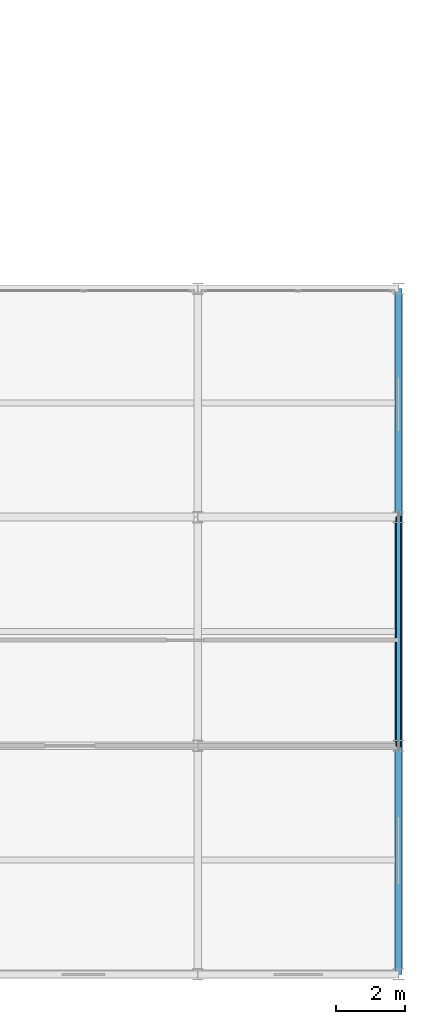
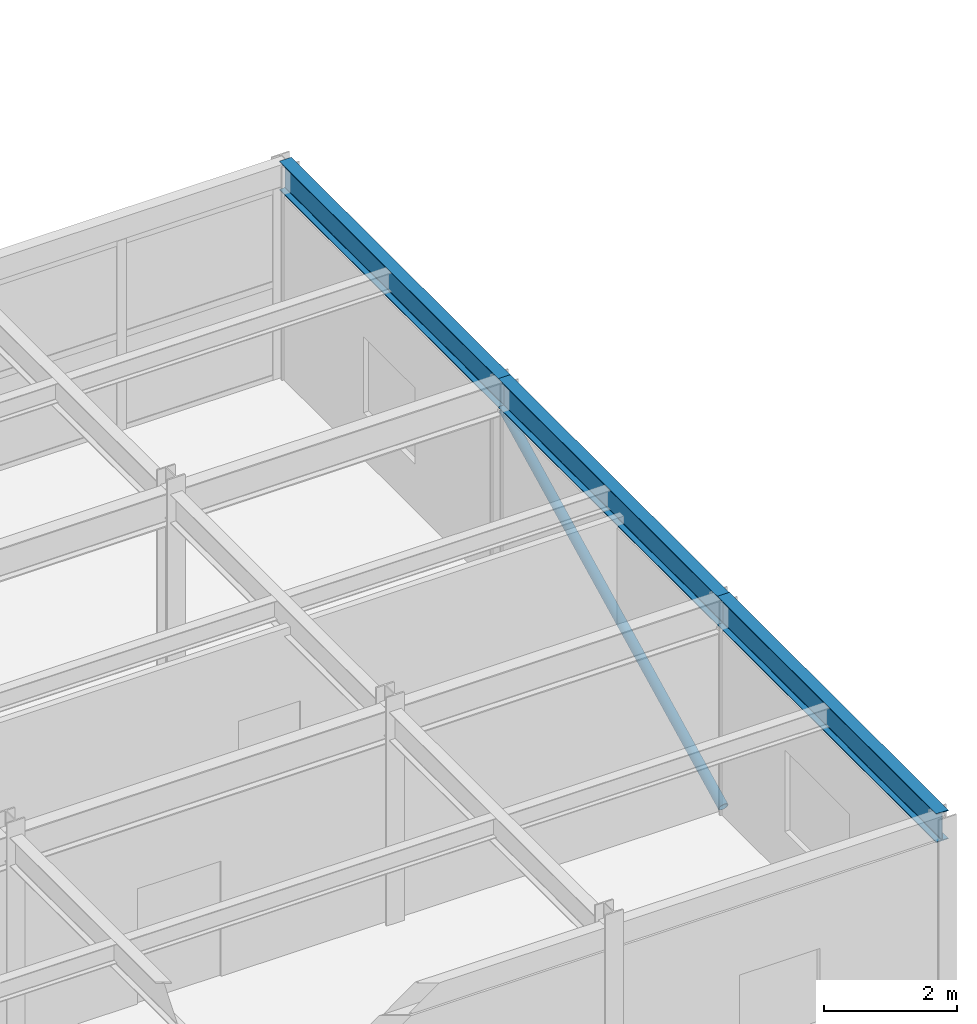
# One storey, part 89 of 134: 3 beams, 1 member.
"""IFC4 building model written with IfcOpenShell, lengths in metres."""

from ifc_helpers import new_model, si_unit, direction, frame, origin, origin_2d, place, context, subcontext, project, spatial, hollow_circle, i_section, extrude, material, material_profile, profile_set, type_object, element, save


model = new_model("IFC4")

# Units and contexts
model_context = context("Model", 3, precision=1e-05, world=origin(), true_north=direction((0.0, 1.0)))
body_context = subcontext(model_context, "Body", "Model", "MODEL_VIEW")
ifc_project = project(units=[si_unit("LENGTHUNIT", "METRE"), si_unit("AREAUNIT", "SQUARE_METRE"), si_unit("VOLUMEUNIT", "CUBIC_METRE"), si_unit("PLANEANGLEUNIT", "RADIAN"), si_unit("MASSUNIT", "GRAM", prefix="KILO")], contexts=[model_context])

# Site, building, storey
site_placement = place(None, origin())
site = spatial("IfcSite", under=ifc_project, at=site_placement, CompositionType="ELEMENT")
building_placement = place(site_placement, origin())
building = spatial("IfcBuilding", under=site, at=building_placement, Name="Karori Crest Natural Sciences Institute", CompositionType="ELEMENT")
storey_placement = place(building_placement, frame((0.0, 0.0, 21.699951171875)))
storey = spatial("IfcBuildingStorey", under=building, at=storey_placement, Name="L05", CompositionType="ELEMENT", Elevation=21.699951171875)

# Beams
ifc_material_1 = material(Name="Structural steel AS/NZS 3679.1 Grade 350", Category="steel")
ifc_material_profile_1 = material_profile(ifc_material_1, i_section(OverallWidth=0.208984375, OverallDepth=0.532958984375, WebThickness=0.01025390625, FlangeThickness=0.015625, FilletRadius=0.013916015625, at=origin_2d()), Name="530UB92.4")
ifc_profile_set_1 = profile_set([ifc_material_profile_1], Name="Structural steel AS/NZS 3679.1 Grade 350")
beam_type = type_object("IfcBeamType", Name="BT-05-EL", PredefinedType="BEAM", material=ifc_profile_set_1)
beam_placement = place(storey_placement, frame((162.199951171875, 0.800048828125, 3.653564453125), z_axis=(0.0, 1.0, 0.0), x_axis=(-1.0, 0.0, 0.0)))
element("IfcBeam", 1, at=beam_placement, inside=storey, type_object=beam_type, Name="Beam B-2515", PredefinedType="BEAM", context=body_context, shape_type="SweptSolid", body=[
    extrude(i_section(OverallWidth=0.208984375, OverallDepth=0.532958984375, WebThickness=0.01025390625, FlangeThickness=0.015625, FilletRadius=0.013916015625, at=origin_2d()), origin(), (0.0, 0.0, 1.0), 6.599853515625),
])
for number, where, z_axis, x_axis, name in (
    (2, (162.199951171875, 7.39990234375, 3.653564453125), (0.0, 1.0, 0.0), (-1.0, 0.0, 0.0), "Beam B-2516"),
    (3, (162.199951171875, 14.0, 3.653564453125), (0.0, 1.0, 0.0), (-1.0, 0.0, 0.0), "Beam B-2517"),
):
    element("IfcBeam", number, at=place(storey_placement, frame(where, z_axis=z_axis, x_axis=x_axis)), inside=storey, type_object=beam_type, Name=name, PredefinedType="BEAM", context=body_context, shape_type="SweptSolid", body=[
        extrude(i_section(OverallWidth=0.208984375, OverallDepth=0.532958984375, WebThickness=0.01025390625, FlangeThickness=0.015625, FilletRadius=0.013916015625, at=origin_2d()), origin(), (0.0, 0.0, 1.0), 6.60009765625),
    ])

# Member
ifc_material_2 = material(Name="Hollow structural steel AS/NZS 1163 Grade C350", Category="steel")
ifc_material_profile_2 = material_profile(ifc_material_2, hollow_circle(Radius=0.084228515625, WallThickness=0.007080078125, at=origin_2d()), Name="CHS168.3x7.1")
ifc_profile_set_2 = profile_set([ifc_material_profile_2], Name="Hollow structural steel AS/NZS 1163 Grade C350")
member_type = type_object("IfcMemberType", Name="MT-03", PredefinedType="BRACE", material=ifc_profile_set_2)
member_placement = place(storey_placement, frame((162.199951171875, 7.39990234375, 0.010009765625), z_axis=(0.0, 0.893990252714, 0.448086406905), x_axis=(-1.0, 0.0, 0.0)))
element("IfcMember", 4, at=member_placement, inside=storey, type_object=member_type, Name="Diagonal Brace M-0450", PredefinedType="BRACE", context=body_context, shape_type="SweptSolid", body=[
    extrude(hollow_circle(Radius=0.084228515625, WallThickness=0.007080078125, at=origin_2d()), origin(), (0.0, 0.0, 1.0), 7.3828125),
])

save(model, "model.ifc")
